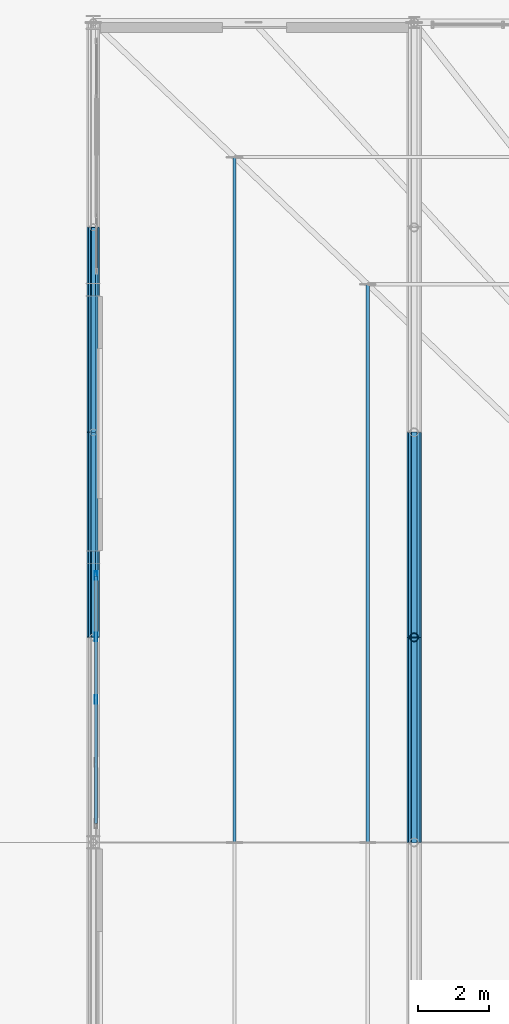
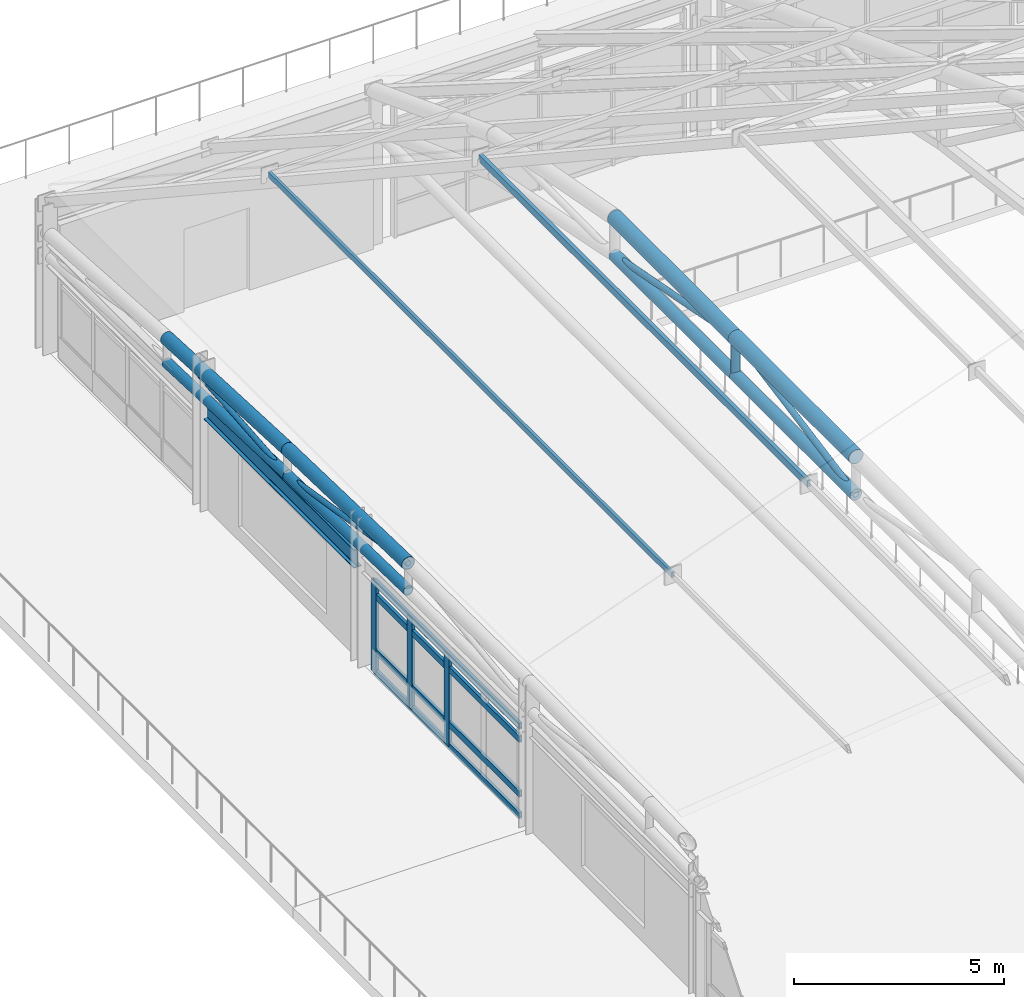
# One storey, part 16 of 168: 18 members, 5 beams, 1 element without a shape of its own.
"""IFC4 building model written with IfcOpenShell, lengths in metres."""

from ifc_helpers import new_model, si_unit, direction, frame, origin, origin_2d, place, context, subcontext, project, spatial, hollow_rectangle, hollow_circle, i_section, extrude, material, material_profile, profile_set, type_object, element, aggregate, save


model = new_model("IFC4")

# Units and contexts
model_context = context("Model", 3, precision=1e-05, world=origin(), true_north=direction((0.0, 1.0)))
body_context = subcontext(model_context, "Body", "Model", "MODEL_VIEW")
ifc_project = project(units=[si_unit("LENGTHUNIT", "METRE"), si_unit("AREAUNIT", "SQUARE_METRE"), si_unit("VOLUMEUNIT", "CUBIC_METRE"), si_unit("PLANEANGLEUNIT", "RADIAN"), si_unit("MASSUNIT", "GRAM", prefix="KILO"), si_unit("THERMODYNAMICTEMPERATUREUNIT", "KELVIN"), si_unit("POWERUNIT", "WATT")], contexts=[model_context])

# Site, building, storey
site_placement = place(None, origin())
site = spatial("IfcSite", under=ifc_project, at=site_placement, CompositionType="ELEMENT")
building_placement = place(site_placement, origin())
building = spatial("IfcBuilding", under=site, at=building_placement, Name="Tepalcoro Natatorium and Aquatics Centre", CompositionType="ELEMENT")
storey_placement = place(building_placement, frame((0.0, 0.0, 10.199951171875)))
storey = spatial("IfcBuildingStorey", under=building, at=storey_placement, Name="L02", CompositionType="ELEMENT", Elevation=10.199951171875)

# Beams
ifc_material_1 = material(Name="Terracotta Painted Hollow Steel ASTM A500 Grade C (Fy 345 MPa)", Category="masonry")
ifc_material_profile_1 = material_profile(ifc_material_1, hollow_circle(Radius=0.177978515625, WallThickness=0.01611328125, at=origin_2d()), Name="CHS356X16")
ifc_profile_set_1 = profile_set([ifc_material_profile_1], Name="Terracotta Painted Hollow Steel ASTM A500 Grade C (Fy 345 MPa)")
beam_type_1 = type_object("IfcBeamType", Name="AC_CHS356x16", PredefinedType="USERDEFINED", material=ifc_profile_set_1)
beam_1_placement = place(storey_placement, frame((53.0, 41.75, 4.2470703125), z_axis=(0.0, 0.999615859161, -0.027715232508), x_axis=(-1.0, 0.0, 0.0)))
element("IfcBeam", 1, at=beam_1_placement, inside=storey, type_object=beam_type_1, Name="V1 Gable Arched Truss Top Chord 1", ObjectType="ARCH CHORD", PredefinedType="USERDEFINED", context=body_context, shape_type="SweptSolid", body=[
    extrude(hollow_circle(Radius=0.177978515625, WallThickness=0.01611328125, at=origin_2d()), origin(), (0.0, 0.0, 1.0), 5.752197265625),
])
beam_2_placement = place(storey_placement, frame((53.0, 47.5, 4.087646484375), z_axis=(0.0, 0.998934685623, -0.046146439282), x_axis=(-1.0, 0.0, 0.0)))
element("IfcBeam", 2, at=beam_2_placement, inside=storey, type_object=beam_type_1, Name="V1 Gable Arched Truss Top Chord 1", ObjectType="ARCH CHORD", PredefinedType="USERDEFINED", context=body_context, shape_type="SweptSolid", body=[
    extrude(hollow_circle(Radius=0.177978515625, WallThickness=0.01611328125, at=origin_2d()), origin(), (0.0, 0.0, 1.0), 5.756103515625),
])
ifc_material_profile_2 = material_profile(ifc_material_1, hollow_circle(Radius=0.202880859375, WallThickness=0.01611328125, at=origin_2d()), Name="CHS406X16")
ifc_profile_set_2 = profile_set([ifc_material_profile_2], Name="Terracotta Painted Hollow Steel ASTM A500 Grade C (Fy 345 MPa)")
beam_type_2 = type_object("IfcBeamType", Name="AC_CHS406x16", PredefinedType="USERDEFINED", material=ifc_profile_set_2)
for number, where, z_axis, x_axis, name in (
    (3, (62.0, 36.0, 7.677978515625), (0.0, 1.0, 0.0), (-1.0, 0.0, 0.0), "V1 Arched Truss Top Chord 2"),
    (4, (62.0, 41.75, 7.677978515625), (0.0, 1.0, 0.0), (-1.0, 0.0, 0.0), "V1 Arched Truss Top Chord 2"),
):
    element("IfcBeam", number, at=place(storey_placement, frame(where, z_axis=z_axis, x_axis=x_axis)), inside=storey, type_object=beam_type_2, Name=name, ObjectType="ARCH CHORD", PredefinedType="USERDEFINED", context=body_context, shape_type="SweptSolid", body=[
        extrude(hollow_circle(Radius=0.202880859375, WallThickness=0.01611328125, at=origin_2d()), origin(), (0.0, 0.0, 1.0), 5.75),
    ])

# Curtain wall, members
ifc_material_2 = material(Name="Bronze-Anodised Extruded Aluminium Alloy EN AW-6063 T6", Category="aluminium")
curtain_wall_type = type_object("IfcCurtainWallType", Name="CW_LEAN_T2_NS", PredefinedType="USERDEFINED", material=ifc_material_2)
curtain_wall_placement = place(storey_placement, origin())
curtain_wall = element("IfcCurtainWall", 5, at=curtain_wall_placement, inside=storey, type_object=curtain_wall_type, Name="V1 L02 W Unitised Curtain Wall Bay 4", ObjectType="FACETED SOLAR GLAZING", PredefinedType="USERDEFINED")
ifc_material_profile_3 = material_profile(ifc_material_2, hollow_rectangle(XDim=0.080078125, YDim=0.239990234375, WallThickness=0.0048828125, at=origin_2d()), Name="AL80X240X5")
ifc_profile_set_3 = profile_set([ifc_material_profile_3], Name="Bronze-Anodised Extruded Aluminium Alloy EN AW-6063 T6")
member_type_1 = type_object("IfcMemberType", Name="CW_MUL_80x240", PredefinedType="MULLION", material=ifc_profile_set_3)
member_1_placement = place(storey_placement, frame((53.076171875, 40.0, 0.02001953125), z_axis=(0.0, 0.0, 1.0), x_axis=(1.0, 0.0, 0.0)))
member_1 = element("IfcMember", 6, at=member_1_placement, type_object=member_type_1, Name="CW_LEAN_T2_NS Curtain Wall Mullion", PredefinedType="MULLION", context=body_context, shape_type="SweptSolid", body=[
    extrude(hollow_rectangle(XDim=0.080078125, YDim=0.239990234375, WallThickness=0.0048828125, at=origin_2d()), origin(), (0.0, 0.0, 1.0), 2.659912109375),
])
member_2_placement = place(storey_placement, frame((53.076171875, 41.760009765625, 0.02001953125), z_axis=(0.0, 0.0, 1.0), x_axis=(1.0, 0.0, 0.0)))
member_2 = element("IfcMember", 7, at=member_2_placement, type_object=member_type_1, Name="CW_LEAN_T2_NS Curtain Wall Mullion", PredefinedType="MULLION", context=body_context, shape_type="SweptSolid", body=[
    extrude(hollow_rectangle(XDim=0.080078125, YDim=0.239990234375, WallThickness=0.0048828125, at=origin_2d()), origin(), (0.0, 0.0, 1.0), 2.659912109375),
])
member_3_placement = place(storey_placement, frame((53.076171875, 43.47998046875, 0.02001953125), z_axis=(0.0, 0.0, 1.0), x_axis=(1.0, 0.0, 0.0)))
member_3 = element("IfcMember", 8, at=member_3_placement, type_object=member_type_1, Name="CW_LEAN_T2_NS Curtain Wall Mullion", PredefinedType="MULLION", context=body_context, shape_type="SweptSolid", body=[
    extrude(hollow_rectangle(XDim=0.080078125, YDim=0.239990234375, WallThickness=0.0048828125, at=origin_2d()), origin(), (0.0, 0.0, 1.0), 2.659912109375),
])
ifc_material_profile_4 = material_profile(ifc_material_2, hollow_rectangle(XDim=0.080078125, YDim=0.179931640625, WallThickness=0.0048828125, at=origin_2d()), Name="AL80X180X5")
ifc_profile_set_4 = profile_set([ifc_material_profile_4], Name="Bronze-Anodised Extruded Aluminium Alloy EN AW-6063 T6")
member_type_2 = type_object("IfcMemberType", Name="CW_TRN_80x180", PredefinedType="USERDEFINED", material=ifc_profile_set_4)
member_4_placement = place(storey_placement, frame((53.076171875, 36.530029296875, 0.050048828125), z_axis=(0.0, 1.0, 0.0), x_axis=(-1.0, 0.0, 0.0)))
member_4 = element("IfcMember", 9, at=member_4_placement, type_object=member_type_2, Name="CW_LEAN_T2_NS Curtain Wall Transom", ObjectType="TRANSOM", PredefinedType="USERDEFINED", context=body_context, shape_type="SweptSolid", body=[
    extrude(hollow_rectangle(XDim=0.080078125, YDim=0.179931640625, WallThickness=0.0048828125, at=origin_2d()), origin(), (0.0, 0.0, 1.0), 6.93994140625),
])
member_5_placement = place(storey_placement, frame((53.076171875, 36.530029296875, 0.675048828125), z_axis=(0.0, 1.0, 0.0), x_axis=(-1.0, 0.0, 0.0)))
member_5 = element("IfcMember", 10, at=member_5_placement, type_object=member_type_2, Name="CW_LEAN_T2_NS Curtain Wall Transom", ObjectType="TRANSOM", PredefinedType="USERDEFINED", context=body_context, shape_type="SweptSolid", body=[
    extrude(hollow_rectangle(XDim=0.080078125, YDim=0.179931640625, WallThickness=0.0048828125, at=origin_2d()), origin(), (0.0, 0.0, 1.0), 6.93994140625),
])
member_6_placement = place(storey_placement, frame((53.076171875, 36.530029296875, 2.26806640625), z_axis=(0.0, 1.0, 0.0), x_axis=(-1.0, 0.0, 0.0)))
member_6 = element("IfcMember", 11, at=member_6_placement, type_object=member_type_2, Name="CW_LEAN_T2_NS Curtain Wall Transom", ObjectType="TRANSOM", PredefinedType="USERDEFINED", context=body_context, shape_type="SweptSolid", body=[
    extrude(hollow_rectangle(XDim=0.080078125, YDim=0.179931640625, WallThickness=0.0048828125, at=origin_2d()), origin(), (0.0, 0.0, 1.0), 6.93994140625),
])
member_7_placement = place(storey_placement, frame((53.076171875, 36.530029296875, 2.650146484375), z_axis=(0.0, 1.0, 0.0), x_axis=(-1.0, 0.0, 0.0)))
member_7 = element("IfcMember", 12, at=member_7_placement, type_object=member_type_2, Name="CW_LEAN_T2_NS Curtain Wall Transom", ObjectType="TRANSOM", PredefinedType="USERDEFINED", context=body_context, shape_type="SweptSolid", body=[
    extrude(hollow_rectangle(XDim=0.080078125, YDim=0.179931640625, WallThickness=0.0048828125, at=origin_2d()), origin(), (0.0, 0.0, 1.0), 6.93994140625),
])
aggregate(curtain_wall, [member_1, member_2, member_3, member_4, member_5, member_6, member_7])

# Members
ifc_material_profile_5 = material_profile(ifc_material_1, hollow_circle(Radius=0.136474609375, WallThickness=0.01611328125, at=origin_2d()), Name="CHS273X16")
ifc_profile_set_5 = profile_set([ifc_material_profile_5], Name="Terracotta Painted Hollow Steel ASTM A500 Grade C (Fy 345 MPa)")
member_type_3 = type_object("IfcMemberType", Name="MB_CH_CHS273x16", PredefinedType="CHORD", material=ifc_profile_set_5)
member_8_placement = place(storey_placement, frame((53.0, 41.75, 3.456298828125), z_axis=(0.0, 0.999739199123, -0.022837113159), x_axis=(-1.0, 0.0, 0.0)))
element("IfcMember", 13, at=member_8_placement, inside=storey, type_object=member_type_3, Name="V1 Gable Arched Truss Bottom Chord 1", PredefinedType="CHORD", context=body_context, shape_type="SweptSolid", body=[
    extrude(hollow_circle(Radius=0.136474609375, WallThickness=0.01611328125, at=origin_2d()), origin(), (0.0, 0.0, 1.0), 5.75146484375),
])
member_9_placement = place(storey_placement, frame((53.0, 47.5, 3.324951171875), z_axis=(0.0, 0.999277131445, -0.038015977827), x_axis=(-1.0, 0.0, 0.0)))
element("IfcMember", 14, at=member_9_placement, inside=storey, type_object=member_type_3, Name="V1 Gable Arched Truss Bottom Chord 1", PredefinedType="CHORD", context=body_context, shape_type="SweptSolid", body=[
    extrude(hollow_circle(Radius=0.136474609375, WallThickness=0.01611328125, at=origin_2d()), origin(), (0.0, 0.0, 1.0), 5.754150390625),
])
ifc_material_profile_6 = material_profile(ifc_material_1, hollow_circle(Radius=0.162109375, WallThickness=0.013916015625, at=origin_2d()), Name="CHS324X14")
ifc_profile_set_6 = profile_set([ifc_material_profile_6], Name="Terracotta Painted Hollow Steel ASTM A500 Grade C (Fy 345 MPa)")
member_type_4 = type_object("IfcMemberType", Name="MB_CH_CHS324x14", PredefinedType="CHORD", material=ifc_profile_set_6)
for number, where, z_axis, x_axis, name in (
    (15, (62.0, 36.0, 6.577880859375), (0.0, 1.0, 0.0), (-1.0, 0.0, 0.0), "V1 Arched Truss Bottom Chord 2"),
    (16, (62.0, 41.75, 6.577880859375), (0.0, 1.0, 0.0), (-1.0, 0.0, 0.0), "V1 Arched Truss Bottom Chord 2"),
):
    element("IfcMember", number, at=place(storey_placement, frame(where, z_axis=z_axis, x_axis=x_axis)), inside=storey, type_object=member_type_4, Name=name, PredefinedType="CHORD", context=body_context, shape_type="SweptSolid", body=[
        extrude(hollow_circle(Radius=0.162109375, WallThickness=0.013916015625, at=origin_2d()), origin(), (0.0, 0.0, 1.0), 5.75),
    ])
ifc_material_3 = material(Name="Hollow Steel ASTM A500 Grade C (Fy 345 MPa)", Category="steel")
ifc_material_profile_7 = material_profile(ifc_material_3, hollow_rectangle(XDim=0.080078125, YDim=0.159912109375, WallThickness=0.008056640625, at=origin_2d()), Name="HSS160X80X8")
ifc_profile_set_7 = profile_set([ifc_material_profile_7], Name="Hollow Steel ASTM A500 Grade C (Fy 345 MPa)")
member_type_5 = type_object("IfcMemberType", Name="MB_PR_HSS160x80x8", PredefinedType="PURLIN", material=ifc_profile_set_7)
member_10_placement = place(storey_placement, frame((56.9599609375, 36.0, 6.015625), z_axis=(0.0, 1.0, 0.0), x_axis=(-1.0, 0.0, 0.0)))
element("IfcMember", 17, at=member_10_placement, inside=storey, type_object=member_type_5, Name="Pyramid Horizontal Purlin W", PredefinedType="PURLIN", context=body_context, shape_type="SweptSolid", body=[
    extrude(hollow_rectangle(XDim=0.080078125, YDim=0.159912109375, WallThickness=0.008056640625, at=origin_2d()), origin(), (0.0, 0.0, 1.0), 19.219970703125),
])
ifc_material_profile_8 = material_profile(ifc_material_3, hollow_rectangle(XDim=0.10009765625, YDim=0.199951171875, WallThickness=0.008056640625, at=origin_2d()), Name="HSS200X100X8")
ifc_profile_set_8 = profile_set([ifc_material_profile_8], Name="Hollow Steel ASTM A500 Grade C (Fy 345 MPa)")
member_type_6 = type_object("IfcMemberType", Name="MB_PR_HSS200x100x8", PredefinedType="PURLIN", material=ifc_profile_set_8)
member_11_placement = place(storey_placement, frame((60.699951171875, 36.0, 7.359130859375), z_axis=(0.0, 1.0, 0.0), x_axis=(-1.0, 0.0, 0.0)))
element("IfcMember", 18, at=member_11_placement, inside=storey, type_object=member_type_6, Name="Pyramid Horizontal Purlin W", PredefinedType="PURLIN", context=body_context, shape_type="SweptSolid", body=[
    extrude(hollow_rectangle(XDim=0.10009765625, YDim=0.199951171875, WallThickness=0.008056640625, at=origin_2d()), origin(), (0.0, 0.0, 1.0), 15.64990234375),
])
ifc_material_profile_9 = material_profile(ifc_material_1, hollow_circle(Radius=0.1220703125, WallThickness=0.011962890625, at=origin_2d()), Name="CHS244X12")
ifc_profile_set_9 = profile_set([ifc_material_profile_9], Name="Terracotta Painted Hollow Steel ASTM A500 Grade C (Fy 345 MPa)")
member_type_7 = type_object("IfcMemberType", Name="MB_PS_CHS244x12", PredefinedType="POST", material=ifc_profile_set_9)
member_12_placement = place(storey_placement, frame((62.0, 41.75, 6.577880859375), z_axis=(0.0, 0.0, 1.0), x_axis=(1.0, 0.0, 0.0)))
element("IfcMember", 19, at=member_12_placement, inside=storey, type_object=member_type_7, Name="V1 Arched Truss Vertical Post 2", PredefinedType="POST", context=body_context, shape_type="SweptSolid", body=[
    extrude(hollow_circle(Radius=0.1220703125, WallThickness=0.011962890625, at=origin_2d()), origin(), (0.0, 0.0, 1.0), 1.10009765625),
])
ifc_material_profile_10 = material_profile(ifc_material_1, hollow_circle(Radius=0.070068359375, WallThickness=0.008056640625, at=origin_2d()), Name="CHS140X8")
ifc_profile_set_10 = profile_set([ifc_material_profile_10], Name="Terracotta Painted Hollow Steel ASTM A500 Grade C (Fy 345 MPa)")
member_type_8 = type_object("IfcMemberType", Name="MB_ST_CHS140x8", PredefinedType="STRUT", material=ifc_profile_set_10)
member_13_placement = place(storey_placement, frame((53.0, 41.75, 4.2470703125), z_axis=(0.0, 0.987383798038, -0.158345304229), x_axis=(-1.0, 0.0, 0.0)))
element("IfcMember", 20, at=member_13_placement, inside=storey, type_object=member_type_8, Name="V1 Arched Truss Web Diagonal 1", PredefinedType="STRUT", context=body_context, shape_type="SweptSolid", body=[
    extrude(hollow_circle(Radius=0.070068359375, WallThickness=0.008056640625, at=origin_2d()), origin(), (0.0, 0.0, 1.0), 5.823486328125),
])
member_14_placement = place(storey_placement, frame((53.0, 47.5, 3.324951171875), z_axis=(0.0, 0.99628427021, 0.086125797136), x_axis=(-1.0, 0.0, 0.0)))
element("IfcMember", 21, at=member_14_placement, inside=storey, type_object=member_type_8, Name="V1 Arched Truss Web Diagonal 1", PredefinedType="STRUT", context=body_context, shape_type="SweptSolid", body=[
    extrude(hollow_circle(Radius=0.070068359375, WallThickness=0.008056640625, at=origin_2d()), origin(), (0.0, 0.0, 1.0), 5.771484375),
])
ifc_material_profile_11 = material_profile(ifc_material_1, hollow_circle(Radius=0.083984375, WallThickness=0.011962890625, at=origin_2d()), Name="CHS168X12")
ifc_profile_set_11 = profile_set([ifc_material_profile_11], Name="Terracotta Painted Hollow Steel ASTM A500 Grade C (Fy 345 MPa)")
member_type_9 = type_object("IfcMemberType", Name="MB_ST_CHS168x12", PredefinedType="STRUT", material=ifc_profile_set_11)
for number, where, z_axis, x_axis, name in (
    (22, (62.0, 36.0, 6.577880859375), (0.0, 0.98218566396, 0.18791306903), (-1.0, 0.0, 0.0), "V1 Arched Truss Web Diagonal 2"),
    (23, (62.0, 41.75, 7.677978515625), (0.0, 0.98218566396, -0.18791306903), (-1.0, 0.0, 0.0), "V1 Arched Truss Web Diagonal 2"),
):
    element("IfcMember", number, at=place(storey_placement, frame(where, z_axis=z_axis, x_axis=x_axis)), inside=storey, type_object=member_type_9, Name=name, PredefinedType="STRUT", context=body_context, shape_type="SweptSolid", body=[
        extrude(hollow_circle(Radius=0.083984375, WallThickness=0.011962890625, at=origin_2d()), origin(), (0.0, 0.0, 1.0), 5.854248046875),
    ])

# Beam
ifc_material_4 = material(Name="Steel ASTM A992 Grade 50 (Fy 345 MPa)", Category="steel")
ifc_material_profile_12 = material_profile(ifc_material_4, i_section(OverallWidth=0.2099609375, OverallDepth=0.535888671875, WebThickness=0.010986328125, FlangeThickness=0.01708984375, FilletRadius=0.013916015625, at=origin_2d()), Name="W21X68")
ifc_profile_set_12 = profile_set([ifc_material_profile_12], Name="Steel ASTM A992 Grade 50 (Fy 345 MPa)")
beam_type_3 = type_object("IfcBeamType", Name="SP_W21x68", PredefinedType="SPANDREL", material=ifc_profile_set_12)
beam_3_placement = place(storey_placement, frame((53.0, 44.1630859375, 2.93701171875), z_axis=(0.0, 1.0, 0.0), x_axis=(-1.0, 0.0, 0.0)))
element("IfcBeam", 24, at=beam_3_placement, inside=storey, type_object=beam_type_3, Name="V1 L02 Grid Girder Y", PredefinedType="SPANDREL", context=body_context, shape_type="SweptSolid", body=[
    extrude(i_section(OverallWidth=0.2099609375, OverallDepth=0.535888671875, WebThickness=0.010986328125, FlangeThickness=0.01708984375, FilletRadius=0.013916015625, at=origin_2d()), origin(), (0.0, 0.0, 1.0), 7.169921875),
])

save(model, "model.ifc")
